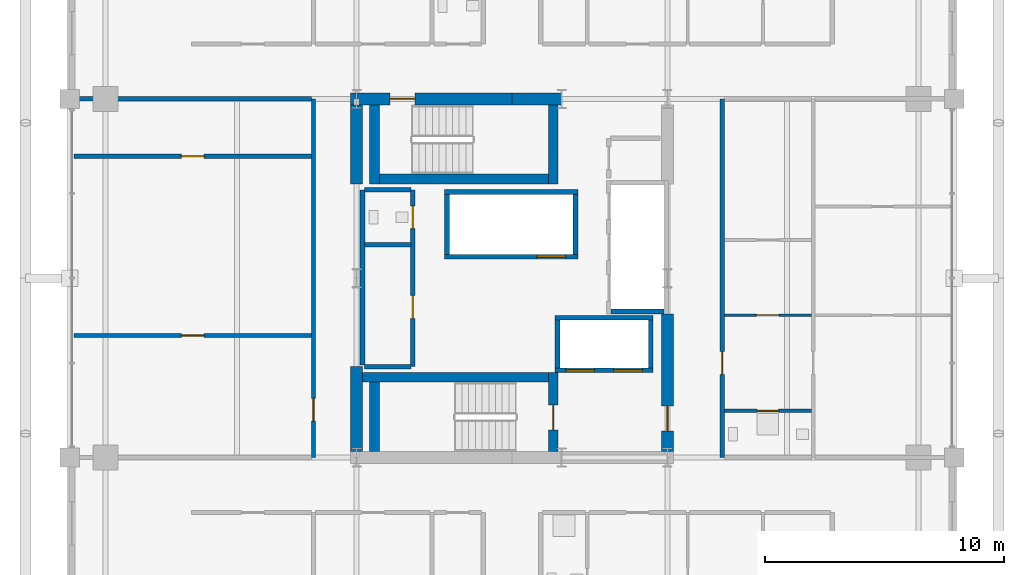
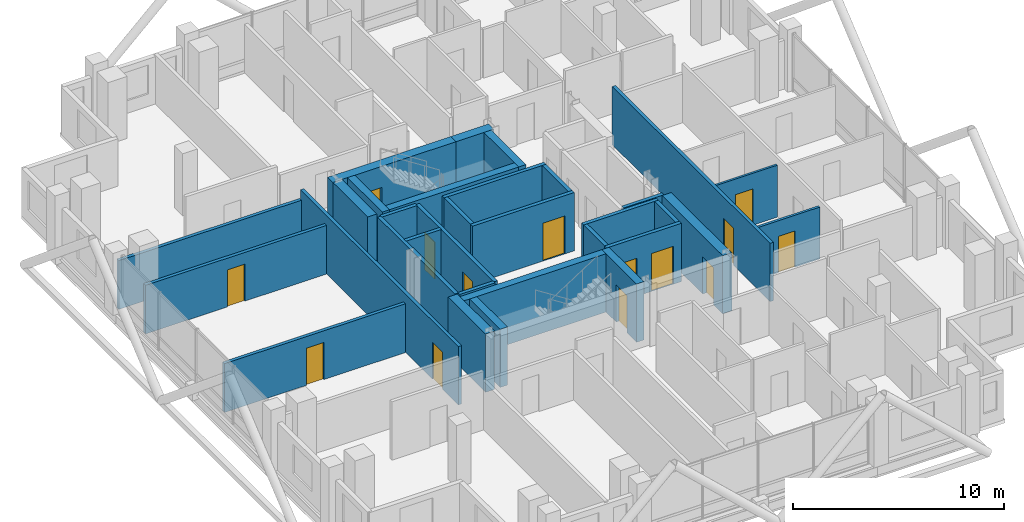
# One storey, part 21 of 26: 32 walls, 14 doors, 14 openings.
"""IFC4 building model written with IfcOpenShell, lengths in metres."""

from ifc_helpers import new_model, si_unit, direction, frame, frame_2d, origin, place, context, subcontext, project, spatial, rectangle, extrude, material, layer, layer_set, type_object, element, fill, save


model = new_model("IFC4")

# Units and contexts
model_context = context("Model", 3, precision=1e-05, world=origin(), true_north=direction((0.0, 1.0)))
body_context = subcontext(model_context, "Body", "Model", "MODEL_VIEW")
ifc_project = project(units=[si_unit("LENGTHUNIT", "METRE"), si_unit("AREAUNIT", "SQUARE_METRE"), si_unit("VOLUMEUNIT", "CUBIC_METRE"), si_unit("PLANEANGLEUNIT", "RADIAN"), si_unit("MASSUNIT", "GRAM", prefix="KILO")], contexts=[model_context])

# Site, building, storey
site_placement = place(None, origin())
site = spatial("IfcSite", under=ifc_project, at=site_placement, CompositionType="ELEMENT")
building_placement = place(site_placement, origin())
building = spatial("IfcBuilding", under=site, at=building_placement, Name="Barlavira Tower and Art Museum", CompositionType="ELEMENT")
storey_placement = place(building_placement, frame((0.0, 0.0, 176.39990234375)))
storey = spatial("IfcBuildingStorey", under=building, at=storey_placement, Name="L45", CompositionType="ELEMENT", Elevation=176.39990234375)

# Wall, opening, door
ifc_material_1 = material(Name="Gypsum acoustic stud partition", Category="gypsum")
ifc_layer_1 = layer(ifc_material_1, 0.1201171875, Name="Gypsum acoustic stud partition")
ifc_layer_set_1 = layer_set([ifc_layer_1], Name="Gypsum acoustic stud partition")
wall_type_1 = type_object("IfcWallType", Name="Apartment Internal Acoustic Partition 120", PredefinedType="PARTITIONING", material=ifc_layer_set_1)
wall_1_placement = place(storey_placement, frame((8.8798828125, -1.550048828125, 0.0), z_axis=(0.0, 0.0, 1.0), x_axis=(1.0, 0.0, 0.0)))
wall_1 = element("IfcWall", 1, at=wall_1_placement, inside=storey, type_object=wall_type_1, Name="L45 Partition Wall 44", PredefinedType="PARTITIONING", context=body_context, shape_type="SweptSolid", body=[
    extrude(rectangle(XDim=3.64013671875, YDim=0.1201171875, at=frame_2d((1.820068359375, 0.0))), origin(), (0.0, 0.0, 1.0), 3.010986328125),
])
opening_1_placement = place(wall_1_placement, frame((1.344970703125, 0.0, 0.0)))
opening_1 = element("IfcOpeningElement", 2, at=opening_1_placement, cuts=wall_1, Name="Opening D-02", PredefinedType="OPENING", context=body_context, shape_type="SweptSolid", body=[
    extrude(rectangle(XDim=0.949951171875, YDim=2.10009765625, at=frame_2d((0.47509765625, 1.050048828125))), frame((0.0, 0.070068359375, 0.0), z_axis=(0.0, -1.0, 0.0), x_axis=(1.0, 0.0, 0.0)), (0.0, 0.0, 1.0), 0.14013671875),
])
ifc_material_2 = material(Name="Engineered coastal hardwood", Category="wood")
door_type_1 = type_object("IfcDoorType", Name="Living and Salon Glazed-Leaf Door 950x2100", OperationType="NOTDEFINED", PredefinedType="DOOR", material=ifc_material_2)
door_1_placement = place(opening_1_placement, origin())
door_1 = element("IfcDoor", 3, at=door_1_placement, inside=storey, type_object=door_type_1, Name="Apartment E1 Kitchen Door", OperationType="SINGLE_SWING_RIGHT", OverallHeight=2.10009765625, OverallWidth=0.949951171875, PredefinedType="DOOR", context=body_context, shape_type="SweptSolid", body=[
    extrude(rectangle(XDim=0.949951171875, YDim=2.10009765625, at=frame_2d((0.47509765625, 1.050048828125))), frame((0.0, 0.02490234375, 0.0), z_axis=(0.0, -1.0, 0.0), x_axis=(1.0, 0.0, 0.0)), (0.0, 0.0, 1.0), 0.050048828125),
])
fill(opening_1, door_1)

ifc_material_3 = material(Name="Concrete C60", Category="concrete")
ifc_layer_2 = layer(ifc_material_3, 0.5, Name="Concrete C60")
ifc_layer_set_2 = layer_set([ifc_layer_2], Name="Concrete C60")
wall_type_2 = type_object("IfcWallType", Name="Core Structural Shear Wall 500 Concrete C60", PredefinedType="SHEAR", material=ifc_layer_set_2)
wall_2_placement = place(storey_placement, frame((-6.75, 7.5, 0.0), z_axis=(0.0, 0.0, 1.0), x_axis=(1.0, 0.0, 0.0)))
wall_2 = element("IfcWall", 4, at=wall_2_placement, inside=storey, type_object=wall_type_2, Name="L45 Core Shear Wall CS-NW", PredefinedType="SHEAR", context=body_context, shape_type="SweptSolid", body=[
    extrude(rectangle(XDim=6.75, YDim=0.5, at=frame_2d((3.375, 0.0))), origin(), (0.0, 0.0, 1.0), 3.380126953125),
])
opening_2_placement = place(wall_2_placement, frame((1.64990234375, 0.0, 0.0)))
opening_2 = element("IfcOpeningElement", 5, at=opening_2_placement, cuts=wall_2, Name="Opening FD-90", PredefinedType="OPENING", context=body_context, shape_type="SweptSolid", body=[
    extrude(rectangle(XDim=1.050048828125, YDim=2.14990234375, at=frame_2d((0.52490234375, 1.074951171875))), frame((0.0, 0.260009765625, 0.0), z_axis=(0.0, -1.0, 0.0), x_axis=(1.0, 0.0, 0.0)), (0.0, 0.0, 1.0), 0.52001953125),
])
ifc_material_4 = material(Name="Brushed stainless steel", Category="steel")
door_type_2 = type_object("IfcDoorType", Name="Stair and Refuge Fire Door 1050x2150 FD90S", OperationType="NOTDEFINED", PredefinedType="DOOR", material=ifc_material_4)
door_2_placement = place(opening_2_placement, origin())
door_2 = element("IfcDoor", 6, at=door_2_placement, inside=storey, type_object=door_type_2, Name="L45 Stair ST-T2 Fire Door", OperationType="SINGLE_SWING_LEFT", OverallHeight=2.14990234375, OverallWidth=1.050048828125, PredefinedType="DOOR", context=body_context, shape_type="SweptSolid", body=[
    extrude(rectangle(XDim=1.050048828125, YDim=2.14990234375, at=frame_2d((0.52490234375, 1.074951171875))), frame((0.0, 0.02490234375, 0.0), z_axis=(0.0, -1.0, 0.0), x_axis=(1.0, 0.0, 0.0)), (0.0, 0.0, 1.0), 0.050048828125),
])
fill(opening_2, door_2)

# Walls
wall_3_placement = place(storey_placement, frame((0.0, 7.5, 0.0), z_axis=(0.0, 0.0, 1.0), x_axis=(1.0, 0.0, 0.0)))
element("IfcWall", 7, at=wall_3_placement, inside=storey, type_object=wall_type_2, Name="L45 Core Shear Wall CS-EN", PredefinedType="SHEAR", context=body_context, shape_type="SweptSolid", body=[
    extrude(rectangle(XDim=2.080078125, YDim=0.5, at=frame_2d((1.0400390625, 0.0))), origin(), (0.0, 0.0, 1.0), 3.380126953125),
])
wall_4_placement = place(storey_placement, frame((-6.5, -7.25, 0.0), z_axis=(0.0, 0.0, 1.0), x_axis=(0.0, 1.0, 0.0)))
element("IfcWall", 8, at=wall_4_placement, inside=storey, type_object=wall_type_2, Name="L45 Core Shear Wall CS-W1", PredefinedType="SHEAR", context=body_context, shape_type="SweptSolid", body=[
    extrude(rectangle(XDim=3.550048828125, YDim=0.5, at=frame_2d((1.77490234375, 0.0))), origin(), (0.0, 0.0, 1.0), 3.380126953125),
])
wall_5_placement = place(storey_placement, frame((-6.5, 3.949951171875, 0.0), z_axis=(0.0, 0.0, 1.0), x_axis=(0.0, 1.0, 0.0)))
element("IfcWall", 9, at=wall_5_placement, inside=storey, type_object=wall_type_2, Name="L45 Core Shear Wall CS-W2", PredefinedType="SHEAR", context=body_context, shape_type="SweptSolid", body=[
    extrude(rectangle(XDim=3.300048828125, YDim=0.5, at=frame_2d((1.64990234375, 0.0))), origin(), (0.0, 0.0, 1.0), 3.380126953125),
])

# Wall, opening, door
wall_6_placement = place(storey_placement, frame((6.5, -7.25, 0.0), z_axis=(0.0, 0.0, 1.0), x_axis=(0.0, 1.0, 0.0)))
wall_6 = element("IfcWall", 10, at=wall_6_placement, inside=storey, type_object=wall_type_2, Name="L45 Core Shear Wall CS-E1", PredefinedType="SHEAR", context=body_context, shape_type="SweptSolid", body=[
    extrude(rectangle(XDim=5.75, YDim=0.5, at=frame_2d((2.875, 0.0))), origin(), (0.0, 0.0, 1.0), 3.380126953125),
])
opening_3_placement = place(wall_6_placement, frame((0.85009765625, 0.0, 0.0)))
opening_3 = element("IfcOpeningElement", 11, at=opening_3_placement, cuts=wall_6, Name="Opening FD-90", PredefinedType="OPENING", context=body_context, shape_type="SweptSolid", body=[
    extrude(rectangle(XDim=1.050048828125, YDim=2.14990234375, at=frame_2d((0.52490234375, 1.074951171875))), frame((0.0, 0.260009765625, 0.0), z_axis=(0.0, -1.0, 0.0), x_axis=(1.0, 0.0, 0.0)), (0.0, 0.0, 1.0), 0.52001953125),
])
door_3_placement = place(opening_3_placement, origin())
door_3 = element("IfcDoor", 12, at=door_3_placement, inside=storey, type_object=door_type_2, Name="L45 Firefighting Lobby Entry Fire Door", OperationType="SINGLE_SWING_LEFT", OverallHeight=2.14990234375, OverallWidth=1.050048828125, PredefinedType="DOOR", context=body_context, shape_type="SweptSolid", body=[
    extrude(rectangle(XDim=1.050048828125, YDim=2.14990234375, at=frame_2d((0.52490234375, 1.074951171875))), frame((0.0, 0.02490234375, 0.0), z_axis=(0.0, -1.0, 0.0), x_axis=(1.0, 0.0, 0.0)), (0.0, 0.0, 1.0), 0.050048828125),
])
fill(opening_3, door_3)

# Wall
ifc_material_5 = material(Name="Autoclaved aerated concrete masonry", Category="masonry")
ifc_layer_3 = layer(ifc_material_5, 0.199951171875, Name="Autoclaved aerated concrete masonry")
ifc_layer_set_3 = layer_set([ifc_layer_3], Name="Autoclaved aerated concrete masonry")
wall_type_3 = type_object("IfcWallType", Name="Fire Compartment and Shaft Wall 200", PredefinedType="SOLIDWALL", material=ifc_layer_set_3)
wall_7_placement = place(storey_placement, frame((4.14990234375, -1.389892578125, 0.0), z_axis=(0.0, 0.0, 1.0), x_axis=(1.0, 0.0, 0.0)))
element("IfcWall", 13, at=wall_7_placement, inside=storey, type_object=wall_type_3, Name="L45 Mid-Rise Lift South Shaft Wall", PredefinedType="SOLIDWALL", context=body_context, shape_type="SweptSolid", body=[
    extrude(rectangle(XDim=2.2001953125, YDim=0.199951171875, at=frame_2d((1.10009765625, 0.0))), origin(), (0.0, 0.0, 1.0), 3.380126953125),
])

# Wall, opening, door
wall_8_placement = place(storey_placement, frame((-2.820068359375, 0.89990234375, 0.0), z_axis=(0.0, 0.0, 1.0), x_axis=(1.0, 0.0, 0.0)))
wall_8 = element("IfcWall", 14, at=wall_8_placement, inside=storey, type_object=wall_type_3, Name="L45 High-Rise & Service Lift Front Wall", PredefinedType="SOLIDWALL", context=body_context, shape_type="SweptSolid", body=[
    extrude(rectangle(XDim=5.580078125, YDim=0.199951171875, at=frame_2d((2.7900390625, 0.0))), origin(), (0.0, 0.0, 1.0), 3.380126953125),
])
opening_4_placement = place(wall_8_placement, frame((3.860107421875, 0.0, 0.0)))
opening_4 = element("IfcOpeningElement", 15, at=opening_4_placement, cuts=wall_8, Name="Opening LD-F", PredefinedType="OPENING", context=body_context, shape_type="SweptSolid", body=[
    extrude(rectangle(XDim=1.199951171875, YDim=2.199951171875, at=frame_2d((0.60009765625, 1.10009765625))), frame((0.0, 0.10986328125, 0.0), z_axis=(0.0, -1.0, 0.0), x_axis=(1.0, 0.0, 0.0)), (0.0, 0.0, 1.0), 0.219970703125),
])
door_type_3 = type_object("IfcDoorType", Name="Firefighting and Service Lift Sliding Door 1200x2200 FD120", OperationType="NOTDEFINED", PredefinedType="DOOR", material=ifc_material_4)
door_4_placement = place(opening_4_placement, origin())
door_4 = element("IfcDoor", 16, at=door_4_placement, inside=storey, type_object=door_type_3, Name="L45 Stretcher Service Lift SL1 Sliding Door", OperationType="DOUBLE_DOOR_SLIDING", OverallHeight=2.199951171875, OverallWidth=1.199951171875, PredefinedType="DOOR", context=body_context, shape_type="SweptSolid", body=[
    extrude(rectangle(XDim=1.199951171875, YDim=2.199951171875, at=frame_2d((0.60009765625, 1.10009765625))), frame((0.0, 0.02490234375, 0.0), z_axis=(0.0, -1.0, 0.0), x_axis=(1.0, 0.0, 0.0)), (0.0, 0.0, 1.0), 0.050048828125),
])
fill(opening_4, door_4)

# Walls
wall_9_placement = place(storey_placement, frame((-2.820068359375, 3.60009765625, 0.0), z_axis=(0.0, 0.0, 1.0), x_axis=(1.0, 0.0, 0.0)))
element("IfcWall", 17, at=wall_9_placement, inside=storey, type_object=wall_type_3, Name="L45 High-Rise & Service Lift Back Wall", PredefinedType="SOLIDWALL", context=body_context, shape_type="SweptSolid", body=[
    extrude(rectangle(XDim=5.580078125, YDim=0.199951171875, at=frame_2d((2.7900390625, 0.0))), origin(), (0.0, 0.0, 1.0), 3.380126953125),
])
for number, where, z_axis, x_axis, name in (
    (18, (-2.719970703125, 1.0, 0.0), (0.0, 0.0, 1.0), (0.0, 1.0, 0.0), "L45 High-Rise & Service Lift West Wall"),
    (19, (2.659912109375, 1.0, 0.0), (0.0, 0.0, 1.0), (0.0, 1.0, 0.0), "L45 High-Rise & Service Lift East Wall"),
):
    element("IfcWall", number, at=place(storey_placement, frame(where, z_axis=z_axis, x_axis=x_axis)), inside=storey, type_object=wall_type_3, Name=name, PredefinedType="SOLIDWALL", context=body_context, shape_type="SweptSolid", body=[
        extrude(rectangle(XDim=2.5, YDim=0.199951171875, at=frame_2d((1.25, 0.0))), origin(), (0.0, 0.0, 1.0), 3.380126953125),
    ])

# Wall, openings, doors
wall_10_placement = place(storey_placement, frame((1.800048828125, -3.85009765625, 0.0), z_axis=(0.0, 0.0, 1.0), x_axis=(1.0, 0.0, 0.0)))
wall_10 = element("IfcWall", 20, at=wall_10_placement, inside=storey, type_object=wall_type_3, Name="L45 Firefighting Lift Front Shaft Wall", PredefinedType="SOLIDWALL", context=body_context, shape_type="SweptSolid", body=[
    extrude(rectangle(XDim=4.099853515625, YDim=0.199951171875, at=frame_2d((2.0498046875, 0.0))), origin(), (0.0, 0.0, 1.0), 3.380126953125),
])
opening_5_placement = place(wall_10_placement, frame((0.449951171875, 0.0, 0.0)))
opening_5 = element("IfcOpeningElement", 21, at=opening_5_placement, cuts=wall_10, Name="Opening LD-F", PredefinedType="OPENING", context=body_context, shape_type="SweptSolid", body=[
    extrude(rectangle(XDim=1.199951171875, YDim=2.199951171875, at=frame_2d((0.60009765625, 1.10009765625))), frame((0.0, 0.10986328125, 0.0), z_axis=(0.0, -1.0, 0.0), x_axis=(1.0, 0.0, 0.0)), (0.0, 0.0, 1.0), 0.219970703125),
])
opening_6_placement = place(wall_10_placement, frame((2.449951171875, 0.0, 0.0)))
opening_6 = element("IfcOpeningElement", 22, at=opening_6_placement, cuts=wall_10, Name="Opening LD-F", PredefinedType="OPENING", context=body_context, shape_type="SweptSolid", body=[
    extrude(rectangle(XDim=1.199951171875, YDim=2.199951171875, at=frame_2d((0.60009765625, 1.10009765625))), frame((0.0, 0.10986328125, 0.0), z_axis=(0.0, -1.0, 0.0), x_axis=(1.0, 0.0, 0.0)), (0.0, 0.0, 1.0), 0.219970703125),
])
door_5_placement = place(opening_5_placement, origin())
door_5 = element("IfcDoor", 23, at=door_5_placement, inside=storey, type_object=door_type_3, Name="L45 Firefighting Lift FF1 Sliding Door", OperationType="DOUBLE_DOOR_SLIDING", OverallHeight=2.199951171875, OverallWidth=1.199951171875, PredefinedType="DOOR", context=body_context, shape_type="SweptSolid", body=[
    extrude(rectangle(XDim=1.199951171875, YDim=2.199951171875, at=frame_2d((0.60009765625, 1.10009765625))), frame((0.0, 0.02490234375, 0.0), z_axis=(0.0, -1.0, 0.0), x_axis=(1.0, 0.0, 0.0)), (0.0, 0.0, 1.0), 0.050048828125),
])
fill(opening_5, door_5)
door_6_placement = place(opening_6_placement, origin())
door_6 = element("IfcDoor", 24, at=door_6_placement, inside=storey, type_object=door_type_3, Name="L45 Firefighting Lift FF2 Sliding Door", OperationType="DOUBLE_DOOR_SLIDING", OverallHeight=2.199951171875, OverallWidth=1.199951171875, PredefinedType="DOOR", context=body_context, shape_type="SweptSolid", body=[
    extrude(rectangle(XDim=1.199951171875, YDim=2.199951171875, at=frame_2d((0.60009765625, 1.10009765625))), frame((0.0, 0.02490234375, 0.0), z_axis=(0.0, -1.0, 0.0), x_axis=(1.0, 0.0, 0.0)), (0.0, 0.0, 1.0), 0.050048828125),
])
fill(opening_6, door_6)

# Walls
wall_11_placement = place(storey_placement, frame((1.800048828125, -1.64990234375, 0.0), z_axis=(0.0, 0.0, 1.0), x_axis=(1.0, 0.0, 0.0)))
element("IfcWall", 25, at=wall_11_placement, inside=storey, type_object=wall_type_3, Name="L45 Firefighting Lift Back Shaft Wall", PredefinedType="SOLIDWALL", context=body_context, shape_type="SweptSolid", body=[
    extrude(rectangle(XDim=4.099853515625, YDim=0.199951171875, at=frame_2d((2.0498046875, 0.0))), origin(), (0.0, 0.0, 1.0), 3.380126953125),
])
for number, where, z_axis, x_axis, name in (
    (26, (1.89990234375, -3.75, 0.0), (0.0, 0.0, 1.0), (0.0, 1.0, 0.0), "L45 Firefighting Lift West Shaft Wall"),
    (27, (5.800048828125, -3.75, 0.0), (0.0, 0.0, 1.0), (0.0, 1.0, 0.0), "L45 Firefighting Lift East Shaft Wall"),
):
    element("IfcWall", number, at=place(storey_placement, frame(where, z_axis=z_axis, x_axis=x_axis)), inside=storey, type_object=wall_type_3, Name=name, PredefinedType="SOLIDWALL", context=body_context, shape_type="SweptSolid", body=[
        extrude(rectangle(XDim=2.0, YDim=0.199951171875, at=frame_2d((1.0, 0.0))), origin(), (0.0, 0.0, 1.0), 3.380126953125),
    ])
wall_12_placement = place(storey_placement, frame((-6.25, -3.639892578125, 0.0), z_axis=(0.0, 0.0, 1.0), x_axis=(0.0, 1.0, 0.0)))
element("IfcWall", 28, at=wall_12_placement, inside=storey, type_object=wall_type_3, Name="L45 Partition Wall 4", PredefinedType="SOLIDWALL", context=body_context, shape_type="SweptSolid", body=[
    extrude(rectangle(XDim=7.33984375, YDim=0.199951171875, at=frame_2d((3.669921875, 0.0))), origin(), (0.0, 0.0, 1.0), 3.380126953125),
])

# Wall, openings, doors
wall_13_placement = place(storey_placement, frame((-4.14990234375, -3.699951171875, 0.0), z_axis=(0.0, 0.0, 1.0), x_axis=(0.0, 1.0, 0.0)))
wall_13 = element("IfcWall", 29, at=wall_13_placement, inside=storey, type_object=wall_type_3, Name="L45 Partition Wall 5", PredefinedType="SOLIDWALL", context=body_context, shape_type="SweptSolid", body=[
    extrude(rectangle(XDim=7.39990234375, YDim=0.199951171875, at=frame_2d((3.699951171875, 0.0))), origin(), (0.0, 0.0, 1.0), 3.380126953125),
])
opening_7_placement = place(wall_13_placement, frame((2.02490234375, 0.0, 0.0)))
opening_7 = element("IfcOpeningElement", 30, at=opening_7_placement, cuts=wall_13, Name="Opening FD-60", PredefinedType="OPENING", context=body_context, shape_type="SweptSolid", body=[
    extrude(rectangle(XDim=0.949951171875, YDim=2.14990234375, at=frame_2d((0.47509765625, 1.074951171875))), frame((0.0, 0.10986328125, 0.0), z_axis=(0.0, -1.0, 0.0), x_axis=(1.0, 0.0, 0.0)), (0.0, 0.0, 1.0), 0.219970703125),
])
opening_8_placement = place(wall_13_placement, frame((5.77490234375, 0.0, 0.0)))
opening_8 = element("IfcOpeningElement", 31, at=opening_8_placement, cuts=wall_13, Name="Opening FD-60", PredefinedType="OPENING", context=body_context, shape_type="SweptSolid", body=[
    extrude(rectangle(XDim=0.949951171875, YDim=2.14990234375, at=frame_2d((0.47509765625, 1.074951171875))), frame((0.0, 0.10986328125, 0.0), z_axis=(0.0, -1.0, 0.0), x_axis=(1.0, 0.0, 0.0)), (0.0, 0.0, 1.0), 0.219970703125),
])
door_type_4 = type_object("IfcDoorType", Name="Apartment Entrance and Riser Fire Door 950x2150 FD60S", OperationType="NOTDEFINED", PredefinedType="DOOR", material=ifc_material_4)
door_7_placement = place(opening_7_placement, origin())
door_7 = element("IfcDoor", 32, at=door_7_placement, inside=storey, type_object=door_type_4, Name="Reclaimed Core Resident Parcel Room Door", OperationType="SINGLE_SWING_LEFT", OverallHeight=2.14990234375, OverallWidth=0.949951171875, PredefinedType="DOOR", context=body_context, shape_type="SweptSolid", body=[
    extrude(rectangle(XDim=0.949951171875, YDim=2.14990234375, at=frame_2d((0.47509765625, 1.074951171875))), frame((0.0, 0.02490234375, 0.0), z_axis=(0.0, -1.0, 0.0), x_axis=(1.0, 0.0, 0.0)), (0.0, 0.0, 1.0), 0.050048828125),
])
fill(opening_7, door_7)
door_8_placement = place(opening_8_placement, origin())
door_8 = element("IfcDoor", 33, at=door_8_placement, inside=storey, type_object=door_type_4, Name="Reclaimed Core Accessible WC Door", OperationType="SINGLE_SWING_RIGHT", OverallHeight=2.14990234375, OverallWidth=0.949951171875, PredefinedType="DOOR", context=body_context, shape_type="SweptSolid", body=[
    extrude(rectangle(XDim=0.949951171875, YDim=2.14990234375, at=frame_2d((0.47509765625, 1.074951171875))), frame((0.0, 0.02490234375, 0.0), z_axis=(0.0, -1.0, 0.0), x_axis=(1.0, 0.0, 0.0)), (0.0, 0.0, 1.0), 0.050048828125),
])
fill(opening_8, door_8)

# Walls
for number, where, z_axis, x_axis, name in (
    (34, (-6.169921875, -3.699951171875, 0.0), (0.0, 0.0, 1.0), (1.0, 0.0, 0.0), "L45 Partition Wall 42"),
    (35, (-6.169921875, 1.39990234375, 0.0), (0.0, 0.0, 1.0), (1.0, 0.0, 0.0), "L45 Partition Wall 46"),
    (36, (-6.169921875, 3.699951171875, 0.0), (0.0, 0.0, 1.0), (1.0, 0.0, 0.0), "L45 Partition Wall 49"),
):
    element("IfcWall", number, at=place(storey_placement, frame(where, z_axis=z_axis, x_axis=x_axis)), inside=storey, type_object=wall_type_3, Name=name, PredefinedType="SOLIDWALL", context=body_context, shape_type="SweptSolid", body=[
        extrude(rectangle(XDim=1.93994140625, YDim=0.199951171875, at=frame_2d((0.969970703125, 0.0))), origin(), (0.0, 0.0, 1.0), 3.380126953125),
    ])

# Wall, opening, door
ifc_layer_4 = layer(ifc_material_1, 0.179931640625, Name="Gypsum acoustic stud partition")
ifc_layer_set_4 = layer_set([ifc_layer_4], Name="Gypsum acoustic stud partition")
wall_type_4 = type_object("IfcWallType", Name="Inter-Tenancy Party Partition Wall 180", PredefinedType="PARTITIONING", material=ifc_layer_set_4)
wall_14_placement = place(storey_placement, frame((-8.300048828125, -7.5, 0.0), z_axis=(0.0, 0.0, 1.0), x_axis=(0.0, 1.0, 0.0)))
wall_14 = element("IfcWall", 37, at=wall_14_placement, inside=storey, type_object=wall_type_4, Name="L45 Partition Wall 2", PredefinedType="PARTITIONING", context=body_context, shape_type="SweptSolid", body=[
    extrude(rectangle(XDim=15.0, YDim=0.179931640625, at=frame_2d((7.5, 0.0))), origin(), (0.0, 0.0, 1.0), 3.380126953125),
])
opening_9_placement = place(wall_14_placement, frame((1.52490234375, 0.0, 0.0)))
opening_9 = element("IfcOpeningElement", 38, at=opening_9_placement, cuts=wall_14, Name="Opening FD-60", PredefinedType="OPENING", context=body_context, shape_type="SweptSolid", body=[
    extrude(rectangle(XDim=0.949951171875, YDim=2.14990234375, at=frame_2d((0.47509765625, 1.074951171875))), frame((0.0, 0.10009765625, 0.0), z_axis=(0.0, -1.0, 0.0), x_axis=(1.0, 0.0, 0.0)), (0.0, 0.0, 1.0), 0.199951171875),
])
door_9_placement = place(opening_9_placement, origin())
door_9 = element("IfcDoor", 39, at=door_9_placement, inside=storey, type_object=door_type_4, Name="Resident Rare-Book Reading Room Door", OperationType="SINGLE_SWING_LEFT", OverallHeight=2.14990234375, OverallWidth=0.949951171875, PredefinedType="DOOR", context=body_context, shape_type="SweptSolid", body=[
    extrude(rectangle(XDim=0.949951171875, YDim=2.14990234375, at=frame_2d((0.47509765625, 1.074951171875))), frame((0.0, 0.02490234375, 0.0), z_axis=(0.0, -1.0, 0.0), x_axis=(1.0, 0.0, 0.0)), (0.0, 0.0, 1.0), 0.050048828125),
])
fill(opening_9, door_9)

wall_15_placement = place(storey_placement, frame((8.800048828125, -7.5, 0.0), z_axis=(0.0, 0.0, 1.0), x_axis=(0.0, 1.0, 0.0)))
wall_15 = element("IfcWall", 40, at=wall_15_placement, inside=storey, type_object=wall_type_4, Name="L45 Partition Wall 19", PredefinedType="PARTITIONING", context=body_context, shape_type="SweptSolid", body=[
    extrude(rectangle(XDim=15.0, YDim=0.179931640625, at=frame_2d((7.5, 0.0))), origin(), (0.0, 0.0, 1.0), 3.380126953125),
])
opening_10_placement = place(wall_15_placement, frame((3.47509765625, 0.0, 0.0)))
opening_10 = element("IfcOpeningElement", 41, at=opening_10_placement, cuts=wall_15, Name="Opening FD-60", PredefinedType="OPENING", context=body_context, shape_type="SweptSolid", body=[
    extrude(rectangle(XDim=0.949951171875, YDim=2.14990234375, at=frame_2d((0.47509765625, 1.074951171875))), frame((0.0, 0.10009765625, 0.0), z_axis=(0.0, -1.0, 0.0), x_axis=(1.0, 0.0, 0.0)), (0.0, 0.0, 1.0), 0.199951171875),
])
door_10_placement = place(opening_10_placement, origin())
door_10 = element("IfcDoor", 42, at=door_10_placement, inside=storey, type_object=door_type_4, Name="Apartment Entrance Hall E1 Door", OperationType="SINGLE_SWING_LEFT", OverallHeight=2.14990234375, OverallWidth=0.949951171875, PredefinedType="DOOR", context=body_context, shape_type="SweptSolid", body=[
    extrude(rectangle(XDim=0.949951171875, YDim=2.14990234375, at=frame_2d((0.47509765625, 1.074951171875))), frame((0.0, 0.02490234375, 0.0), z_axis=(0.0, -1.0, 0.0), x_axis=(1.0, 0.0, 0.0)), (0.0, 0.0, 1.0), 0.050048828125),
])
fill(opening_10, door_10)

wall_16_placement = place(storey_placement, frame((-18.320068359375, -2.39990234375, 0.0), z_axis=(0.0, 0.0, 1.0), x_axis=(1.0, 0.0, 0.0)))
wall_16 = element("IfcWall", 43, at=wall_16_placement, inside=storey, type_object=wall_type_4, Name="L45 Partition Wall 43", PredefinedType="PARTITIONING", context=body_context, shape_type="SweptSolid", body=[
    extrude(rectangle(XDim=9.940185546875, YDim=0.179931640625, at=frame_2d((4.97021484375, 0.0))), origin(), (0.0, 0.0, 1.0), 2.826171875),
])
opening_11_placement = place(wall_16_placement, frame((4.4951171875, 0.0, 0.0)))
opening_11 = element("IfcOpeningElement", 44, at=opening_11_placement, cuts=wall_16, Name="Opening FD-60", PredefinedType="OPENING", context=body_context, shape_type="SweptSolid", body=[
    extrude(rectangle(XDim=0.949951171875, YDim=2.14990234375, at=frame_2d((0.47509765625, 1.074951171875))), frame((0.0, 0.10009765625, 0.0), z_axis=(0.0, -1.0, 0.0), x_axis=(1.0, 0.0, 0.0)), (0.0, 0.0, 1.0), 0.199951171875),
])
door_11_placement = place(opening_11_placement, origin())
door_11 = element("IfcDoor", 45, at=door_11_placement, inside=storey, type_object=door_type_4, Name="Private Coastal Dining Salon Door", OperationType="SINGLE_SWING_RIGHT", OverallHeight=2.14990234375, OverallWidth=0.949951171875, PredefinedType="DOOR", context=body_context, shape_type="SweptSolid", body=[
    extrude(rectangle(XDim=0.949951171875, YDim=2.14990234375, at=frame_2d((0.47509765625, 1.074951171875))), frame((0.0, 0.02490234375, 0.0), z_axis=(0.0, -1.0, 0.0), x_axis=(1.0, 0.0, 0.0)), (0.0, 0.0, 1.0), 0.050048828125),
])
fill(opening_11, door_11)

wall_17_placement = place(storey_placement, frame((-18.320068359375, 5.10009765625, 0.0), z_axis=(0.0, 0.0, 1.0), x_axis=(1.0, 0.0, 0.0)))
wall_17 = element("IfcWall", 46, at=wall_17_placement, inside=storey, type_object=wall_type_4, Name="L45 Partition Wall 50", PredefinedType="PARTITIONING", context=body_context, shape_type="SweptSolid", body=[
    extrude(rectangle(XDim=9.940185546875, YDim=0.179931640625, at=frame_2d((4.97021484375, 0.0))), origin(), (0.0, 0.0, 1.0), 2.826171875),
])
opening_12_placement = place(wall_17_placement, frame((4.4951171875, 0.0, 0.0)))
opening_12 = element("IfcOpeningElement", 47, at=opening_12_placement, cuts=wall_17, Name="Opening FD-60", PredefinedType="OPENING", context=body_context, shape_type="SweptSolid", body=[
    extrude(rectangle(XDim=0.949951171875, YDim=2.14990234375, at=frame_2d((0.47509765625, 1.074951171875))), frame((0.0, 0.10009765625, 0.0), z_axis=(0.0, -1.0, 0.0), x_axis=(1.0, 0.0, 0.0)), (0.0, 0.0, 1.0), 0.199951171875),
])
door_12_placement = place(opening_12_placement, origin())
door_12 = element("IfcDoor", 48, at=door_12_placement, inside=storey, type_object=door_type_4, Name="Shared Catering Kitchen Door", OperationType="SINGLE_SWING_LEFT", OverallHeight=2.14990234375, OverallWidth=0.949951171875, PredefinedType="DOOR", context=body_context, shape_type="SweptSolid", body=[
    extrude(rectangle(XDim=0.949951171875, YDim=2.14990234375, at=frame_2d((0.47509765625, 1.074951171875))), frame((0.0, 0.02490234375, 0.0), z_axis=(0.0, -1.0, 0.0), x_axis=(1.0, 0.0, 0.0)), (0.0, 0.0, 1.0), 0.050048828125),
])
fill(opening_12, door_12)

# Wall
wall_18_placement = place(storey_placement, frame((-18.39990234375, 7.5, 0.0), z_axis=(0.0, 0.0, 1.0), x_axis=(1.0, 0.0, 0.0)))
element("IfcWall", 49, at=wall_18_placement, inside=storey, type_object=wall_type_4, Name="L45 Partition Wall 52", PredefinedType="PARTITIONING", context=body_context, shape_type="SweptSolid", body=[
    extrude(rectangle(XDim=10.02001953125, YDim=0.179931640625, at=frame_2d((5.010009765625, 0.0))), origin(), (0.0, 0.0, 1.0), 2.826171875),
])

# Wall, opening, door
ifc_layer_5 = layer(ifc_material_1, 0.139892578125, Name="Gypsum acoustic stud partition")
ifc_layer_set_5 = layer_set([ifc_layer_5], Name="Gypsum acoustic stud partition")
wall_type_5 = type_object("IfcWallType", Name="Moisture-Resistant Bathroom Partition 140", PredefinedType="PARTITIONING", material=ifc_layer_set_5)
wall_19_placement = place(storey_placement, frame((8.8798828125, -5.550048828125, 0.0), z_axis=(0.0, 0.0, 1.0), x_axis=(1.0, 0.0, 0.0)))
wall_19 = element("IfcWall", 50, at=wall_19_placement, inside=storey, type_object=wall_type_5, Name="L45 Partition Wall 41", PredefinedType="PARTITIONING", context=body_context, shape_type="SweptSolid", body=[
    extrude(rectangle(XDim=3.64013671875, YDim=0.139892578125, at=frame_2d((1.820068359375, 0.0))), origin(), (0.0, 0.0, 1.0), 3.010986328125),
])
opening_13_placement = place(wall_19_placement, frame((1.3701171875, 0.0, 0.0)))
opening_13 = element("IfcOpeningElement", 51, at=opening_13_placement, cuts=wall_19, Name="Opening D-WC", PredefinedType="OPENING", context=body_context, shape_type="SweptSolid", body=[
    extrude(rectangle(XDim=0.89990234375, YDim=2.10009765625, at=frame_2d((0.449951171875, 1.050048828125))), frame((0.0, 0.080078125, 0.0), z_axis=(0.0, -1.0, 0.0), x_axis=(1.0, 0.0, 0.0)), (0.0, 0.0, 1.0), 0.159912109375),
])
door_type_5 = type_object("IfcDoorType", Name="Accessible Bathroom Flush Door 900x2100", OperationType="NOTDEFINED", PredefinedType="DOOR", material=ifc_material_2)
door_13_placement = place(opening_13_placement, origin())
door_13 = element("IfcDoor", 52, at=door_13_placement, inside=storey, type_object=door_type_5, Name="Apartment E1 Hall Bathroom Door", OperationType="SINGLE_SWING_RIGHT", OverallHeight=2.10009765625, OverallWidth=0.89990234375, PredefinedType="DOOR", context=body_context, shape_type="SweptSolid", body=[
    extrude(rectangle(XDim=0.89990234375, YDim=2.10009765625, at=frame_2d((0.449951171875, 1.050048828125))), frame((0.0, 0.02490234375, 0.0), z_axis=(0.0, -1.0, 0.0), x_axis=(1.0, 0.0, 0.0)), (0.0, 0.0, 1.0), 0.050048828125),
])
fill(opening_13, door_13)

# Walls
ifc_material_6 = material(Name="Concrete C55", Category="concrete")
ifc_layer_6 = layer(ifc_material_6, 0.39990234375, Name="Concrete C55")
ifc_layer_set_6 = layer_set([ifc_layer_6], Name="Concrete C55")
wall_type_6 = type_object("IfcWallType", Name="Upper Core Shear Wall 400 Concrete C55", PredefinedType="SHEAR", material=ifc_layer_set_6)
wall_20_placement = place(storey_placement, frame((-5.75, -7.25, 0.0), z_axis=(0.0, 0.0, 1.0), x_axis=(0.0, 1.0, 0.0)))
element("IfcWall", 53, at=wall_20_placement, inside=storey, type_object=wall_type_6, Name="L45 ST-T1 West Half-Landing Wall", PredefinedType="SHEAR", context=body_context, shape_type="SweptSolid", body=[
    extrude(rectangle(XDim=2.89990234375, YDim=0.39990234375, at=frame_2d((1.449951171875, 0.0))), origin(), (0.0, 0.0, 1.0), 3.380126953125),
])
wall_21_placement = place(storey_placement, frame((-6.25, -4.14990234375, 0.0), z_axis=(0.0, 0.0, 1.0), x_axis=(1.0, 0.0, 0.0)))
element("IfcWall", 54, at=wall_21_placement, inside=storey, type_object=wall_type_6, Name="L45 ST-T1 North Shaft Wall", PredefinedType="SHEAR", context=body_context, shape_type="SweptSolid", body=[
    extrude(rectangle(XDim=7.780029296875, YDim=0.39990234375, at=frame_2d((3.89013671875, 0.0))), origin(), (0.0, 0.0, 1.0), 3.380126953125),
])

# Wall, opening, door
wall_22_placement = place(storey_placement, frame((1.72998046875, -7.25, 0.0), z_axis=(0.0, 0.0, 1.0), x_axis=(0.0, 1.0, 0.0)))
wall_22 = element("IfcWall", 55, at=wall_22_placement, inside=storey, type_object=wall_type_6, Name="L45 ST-T1 East Landing Wall", PredefinedType="SHEAR", context=body_context, shape_type="SweptSolid", body=[
    extrude(rectangle(XDim=3.300048828125, YDim=0.39990234375, at=frame_2d((1.64990234375, 0.0))), origin(), (0.0, 0.0, 1.0), 3.380126953125),
])
opening_14_placement = place(wall_22_placement, frame((0.89990234375, 0.0, 0.0)))
opening_14 = element("IfcOpeningElement", 56, at=opening_14_placement, cuts=wall_22, Name="Opening FD-90", PredefinedType="OPENING", context=body_context, shape_type="SweptSolid", body=[
    extrude(rectangle(XDim=1.050048828125, YDim=2.14990234375, at=frame_2d((0.52490234375, 1.074951171875))), frame((0.0, 0.2099609375, 0.0), z_axis=(0.0, -1.0, 0.0), x_axis=(1.0, 0.0, 0.0)), (0.0, 0.0, 1.0), 0.419921875),
])
door_14_placement = place(opening_14_placement, origin())
door_14 = element("IfcDoor", 57, at=door_14_placement, inside=storey, type_object=door_type_2, Name="L45 Stair ST-T1 Fire Door", OperationType="SINGLE_SWING_RIGHT", OverallHeight=2.14990234375, OverallWidth=1.050048828125, PredefinedType="DOOR", context=body_context, shape_type="SweptSolid", body=[
    extrude(rectangle(XDim=1.050048828125, YDim=2.14990234375, at=frame_2d((0.52490234375, 1.074951171875))), frame((0.0, 0.02490234375, 0.0), z_axis=(0.0, -1.0, 0.0), x_axis=(1.0, 0.0, 0.0)), (0.0, 0.0, 1.0), 0.050048828125),
])
fill(opening_14, door_14)

# Walls
wall_23_placement = place(storey_placement, frame((-5.550048828125, 4.14990234375, 0.0), z_axis=(0.0, 0.0, 1.0), x_axis=(1.0, 0.0, 0.0)))
element("IfcWall", 58, at=wall_23_placement, inside=storey, type_object=wall_type_6, Name="L45 ST-T2 South Shaft Wall", PredefinedType="SHEAR", context=body_context, shape_type="SweptSolid", body=[
    extrude(rectangle(XDim=7.080078125, YDim=0.39990234375, at=frame_2d((3.5400390625, 0.0))), origin(), (0.0, 0.0, 1.0), 3.380126953125),
])
for number, where, z_axis, x_axis, name in (
    (59, (1.72998046875, 3.949951171875, 0.0), (0.0, 0.0, 1.0), (0.0, 1.0, 0.0), "L45 ST-T2 East Half-Landing Wall"),
    (60, (-5.75, 3.949951171875, 0.0), (0.0, 0.0, 1.0), (0.0, 1.0, 0.0), "L45 ST-T2 West Shaft Wall"),
):
    element("IfcWall", number, at=place(storey_placement, frame(where, z_axis=z_axis, x_axis=x_axis)), inside=storey, type_object=wall_type_6, Name=name, PredefinedType="SHEAR", context=body_context, shape_type="SweptSolid", body=[
        extrude(rectangle(XDim=3.300048828125, YDim=0.39990234375, at=frame_2d((1.64990234375, 0.0))), origin(), (0.0, 0.0, 1.0), 3.380126953125),
    ])

save(model, "model.ifc")
